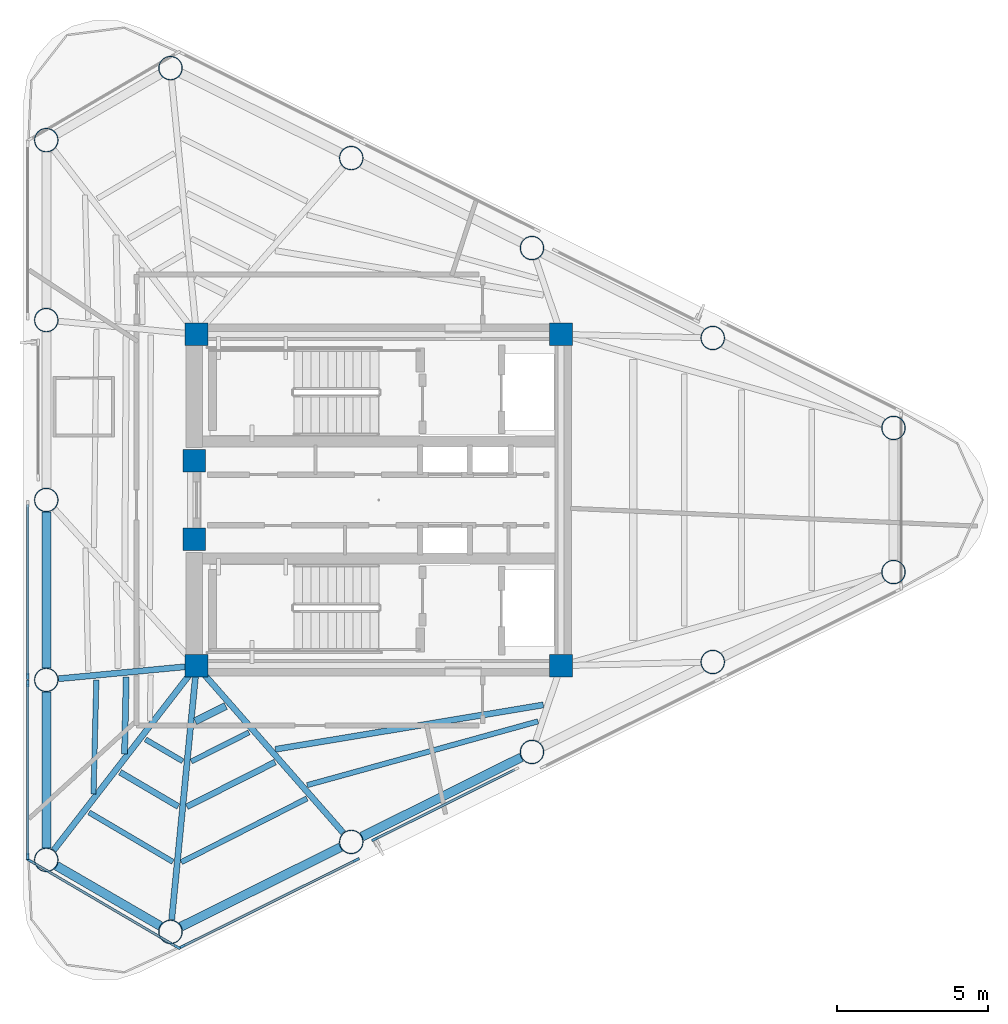
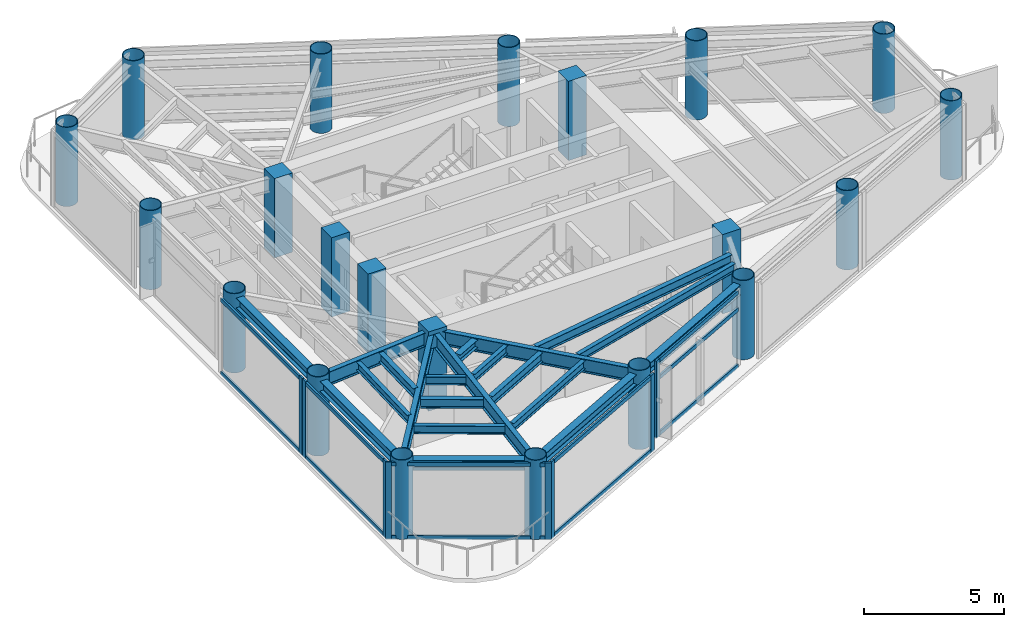
# One storey, part 1 of 10: 21 columns, 20 beams, 19 members, 5 elements without a shape of their own.
"""IFC4 building model written with IfcOpenShell, lengths in metres."""

from ifc_helpers import new_model, si_unit, direction, frame, origin, origin_2d, place, context, subcontext, project, spatial, rectangle, hollow_circle, i_section, extrude, source, transform, mapped, material, layer, layer_set, material_profile, profile_set, type_object, element, aggregate, save


model = new_model("IFC4")

# Units and contexts
model_context = context("Model", 3, precision=1e-05, world=origin(), true_north=direction((0.0, 1.0)))
body_context = subcontext(model_context, "Body", "Model", "MODEL_VIEW")
ifc_project = project(units=[si_unit("LENGTHUNIT", "METRE"), si_unit("AREAUNIT", "SQUARE_METRE"), si_unit("VOLUMEUNIT", "CUBIC_METRE"), si_unit("PLANEANGLEUNIT", "RADIAN"), si_unit("MASSUNIT", "GRAM", prefix="KILO")], contexts=[model_context])

# Site, building, storey
site_placement = place(None, origin())
site = spatial("IfcSite", under=ifc_project, at=site_placement, CompositionType="ELEMENT")
building_placement = place(site_placement, origin())
building = spatial("IfcBuilding", under=site, at=building_placement, Name="Yunling Apex Tower", CompositionType="ELEMENT")
storey_placement = place(building_placement, frame((0.0, 0.0, 293.300048828125)))
storey = spatial("IfcBuildingStorey", under=building, at=storey_placement, Name="L71", CompositionType="ELEMENT", Elevation=293.300048828125)

# Columns
ifc_material_1 = material(Name="Concrete C50", Category="concrete")
ifc_material_profile_1 = material_profile(ifc_material_1, rectangle(XDim=0.75, YDim=0.75, at=origin_2d()))
ifc_profile_set_1 = profile_set([ifc_material_profile_1], Name="Concrete C50")
column_type_1 = type_object("IfcColumnType", Name="PC-SRC-4", PredefinedType="COLUMN", material=ifc_profile_set_1)
shared_shape_1 = source(origin(), body_context, "Body", "SweptSolid", [
    extrude(rectangle(XDim=0.75, YDim=0.75, at=origin_2d()), origin(), (0.0, 0.0, 1.0), 3.449951171875),
])
for number, where, z_axis, x_axis, name in (
    (1, (-6.050048828125, -5.5, 0.0), (0.0, 0.0, 1.0), (1.0, 0.0, 0.0), "L71 Core Spine Column CC-SW"),
    (2, (6.050048828125, -5.5, 0.0), (0.0, 0.0, 1.0), (1.0, 0.0, 0.0), "L71 Core Spine Column CC-SE"),
    (3, (6.050048828125, 5.5, 0.0), (0.0, 0.0, 1.0), (1.0, 0.0, 0.0), "L71 Core Spine Column CC-NE"),
    (4, (-6.050048828125, 5.5, 0.0), (0.0, 0.0, 1.0), (1.0, 0.0, 0.0), "L71 Core Spine Column CC-NW"),
    (5, (-6.125, -1.300048828125, 0.0), (0.0, 0.0, 1.0), (1.0, 0.0, 0.0), "L71 Core West Portal Jamb Column S"),
    (6, (-6.125, 1.300048828125, 0.0), (0.0, 0.0, 1.0), (1.0, 0.0, 0.0), "L71 Core West Portal Jamb Column N"),
):
    element("IfcColumn", number, at=place(storey_placement, frame(where, z_axis=z_axis, x_axis=x_axis)), inside=storey, type_object=column_type_1, Name=name, PredefinedType="COLUMN", context=body_context, shape_type="MappedRepresentation", body=[
        mapped(shared_shape_1, transform((0.0, 0.0, 0.0), scale=1.0)),
    ])
ifc_material_2 = material(Name="Steel Q355B", Category="steel")
ifc_material_profile_2 = material_profile(ifc_material_2, hollow_circle(Radius=0.39990234375, WallThickness=0.028076171875, at=origin_2d()))
ifc_profile_set_2 = profile_set([ifc_material_profile_2], Name="Steel Q355B")
column_type_2 = type_object("IfcColumnType", Name="MC-CFST-7", PredefinedType="COLUMN", material=ifc_profile_set_2)
shared_shape_2 = source(origin(), body_context, "Body", "SweptSolid", [
    extrude(hollow_circle(Radius=0.39990234375, WallThickness=0.028076171875, at=origin_2d()), origin(), (0.0, 0.0, 1.0), 3.449951171875),
])
for number, where, z_axis, x_axis, name in (
    (7, (-6.9140625, -14.336669921875, 0.0), (0.0, 0.0, 1.0), (1.0, 0.0, 0.0), "L71 Perimeter CFST Mega-Column P01"),
    (8, (-0.913818359375, -11.350341796875, 0.0), (0.0, 0.0, 1.0), (1.0, 0.0, 0.0), "L71 Perimeter CFST Mega-Column P02"),
    (9, (5.086181640625, -8.364013671875, 0.0), (0.0, 0.0, 1.0), (1.0, 0.0, 0.0), "L71 Perimeter CFST Mega-Column P03"),
    (10, (11.08642578125, -5.377685546875, 0.0), (0.0, 0.0, 1.0), (1.0, 0.0, 0.0), "L71 Perimeter CFST Mega-Column P04"),
    (11, (17.086669921875, -2.3916015625, 0.0), (0.0, 0.0, 1.0), (1.0, 0.0, 0.0), "L71 Perimeter CFST Mega-Column P05"),
    (12, (17.086669921875, 2.3916015625, 0.0), (0.0, 0.0, 1.0), (1.0, 0.0, 0.0), "L71 Perimeter CFST Mega-Column P06"),
    (13, (11.08642578125, 5.377685546875, 0.0), (0.0, 0.0, 1.0), (1.0, 0.0, 0.0), "L71 Perimeter CFST Mega-Column P07"),
    (14, (5.086181640625, 8.364013671875, 0.0), (0.0, 0.0, 1.0), (1.0, 0.0, 0.0), "L71 Perimeter CFST Mega-Column P08"),
    (15, (-0.913818359375, 11.350341796875, 0.0), (0.0, 0.0, 1.0), (1.0, 0.0, 0.0), "L71 Perimeter CFST Mega-Column P09"),
    (16, (-6.9140625, 14.336669921875, 0.0), (0.0, 0.0, 1.0), (1.0, 0.0, 0.0), "L71 Perimeter CFST Mega-Column P10"),
    (17, (-11.037353515625, 11.9453125, 0.0), (0.0, 0.0, 1.0), (1.0, 0.0, 0.0), "L71 Perimeter CFST Mega-Column P11"),
    (18, (-11.037353515625, 5.97265625, 0.0), (0.0, 0.0, 1.0), (1.0, 0.0, 0.0), "L71 Perimeter CFST Mega-Column P12"),
    (19, (-11.037353515625, 0.0, 0.0), (0.0, 0.0, 1.0), (1.0, 0.0, 0.0), "L71 Perimeter CFST Mega-Column P13"),
    (20, (-11.037353515625, -5.97265625, 0.0), (0.0, 0.0, 1.0), (1.0, 0.0, 0.0), "L71 Perimeter CFST Mega-Column P14"),
    (21, (-11.037353515625, -11.9453125, 0.0), (0.0, 0.0, 1.0), (1.0, 0.0, 0.0), "L71 Perimeter CFST Mega-Column P15"),
):
    element("IfcColumn", number, at=place(storey_placement, frame(where, z_axis=z_axis, x_axis=x_axis)), inside=storey, type_object=column_type_2, Name=name, PredefinedType="COLUMN", context=body_context, shape_type="MappedRepresentation", body=[
        mapped(shared_shape_2, transform((0.0, 0.0, 0.0), scale=1.0)),
    ])

# Beams
ifc_material_profile_3 = material_profile(ifc_material_2, i_section(OverallWidth=0.300048828125, OverallDepth=0.43994140625, WebThickness=0.010986328125, FlangeThickness=0.01806640625, FilletRadius=0.02197265625, at=origin_2d()))
ifc_profile_set_3 = profile_set([ifc_material_profile_3], Name="Steel Q355B")
beam_type_1 = type_object("IfcBeamType", Name="BP-SPN-3", PredefinedType="SPANDREL", material=ifc_profile_set_3)
shared_shape_3 = source(origin(), body_context, "Body", "SweptSolid", [
    extrude(i_section(OverallWidth=0.300048828125, OverallDepth=0.43994140625, WebThickness=0.010986328125, FlangeThickness=0.01806640625, FilletRadius=0.02197265625, at=origin_2d()), origin(), (0.0, 0.0, 1.0), 5.914306640625),
])
for number, where, z_axis, x_axis, name in (
    (22, (-6.561279296875, -14.1611328125, 3.050048828125), (0.895243044542, 0.445578153861, 0.0), (-0.445578153861, 0.895243044542, 0.0), "L71 Perimeter Spandrel Beam 1"),
    (23, (-0.561279296875, -11.1748046875, 3.050048828125), (0.895267705164, 0.445528602999, 0.0), (-0.445528602999, 0.895267705164, 0.0), "L71 Perimeter Spandrel Beam 2"),
):
    element("IfcBeam", number, at=place(storey_placement, frame(where, z_axis=z_axis, x_axis=x_axis)), inside=storey, type_object=beam_type_1, Name=name, PredefinedType="SPANDREL", context=body_context, shape_type="MappedRepresentation", body=[
        mapped(shared_shape_3, transform((0.0, 0.0, 0.0), scale=1.0)),
    ])
shared_shape_4 = source(origin(), body_context, "Body", "SweptSolid", [
    extrude(i_section(OverallWidth=0.300048828125, OverallDepth=0.43994140625, WebThickness=0.010986328125, FlangeThickness=0.01806640625, FilletRadius=0.02197265625, at=origin_2d()), origin(), (0.0, 0.0, 1.0), 3.978515625),
])
beam_1_placement = place(storey_placement, frame((-10.696533203125, -12.142822265625, 3.050048828125), z_axis=(0.86503811344, -0.501706151343, 0.0), x_axis=(0.501706151343, 0.86503811344, 0.0)))
element("IfcBeam", 24, at=beam_1_placement, inside=storey, type_object=beam_type_1, Name="L71 Perimeter Spandrel Beam 15", PredefinedType="SPANDREL", context=body_context, shape_type="MappedRepresentation", body=[
    mapped(shared_shape_4, transform((0.0, 0.0, 0.0), scale=1.0)),
])
shared_shape_5 = source(origin(), body_context, "Body", "SweptSolid", [
    extrude(i_section(OverallWidth=0.300048828125, OverallDepth=0.43994140625, WebThickness=0.010986328125, FlangeThickness=0.01806640625, FilletRadius=0.02197265625, at=origin_2d()), origin(), (0.0, 0.0, 1.0), 5.1845703125),
])
for number, where, z_axis, x_axis, name in (
    (25, (-11.037353515625, -0.39404296875, 3.050048828125), (0.0, -1.0, 0.0), (1.0, 0.0, 0.0), "L71 Perimeter Spandrel Beam 13"),
    (26, (-11.037353515625, -6.36669921875, 3.050048828125), (0.0, -1.0, 0.0), (1.0, 0.0, 0.0), "L71 Perimeter Spandrel Beam 14"),
):
    element("IfcBeam", number, at=place(storey_placement, frame(where, z_axis=z_axis, x_axis=x_axis)), inside=storey, type_object=beam_type_1, Name=name, PredefinedType="SPANDREL", context=body_context, shape_type="MappedRepresentation", body=[
        mapped(shared_shape_5, transform((0.0, 0.0, 0.0), scale=1.0)),
    ])
ifc_material_profile_4 = material_profile(ifc_material_2, i_section(OverallWidth=0.199951171875, OverallDepth=0.60009765625, WebThickness=0.010986328125, FlangeThickness=0.01708984375, FilletRadius=0.02197265625, at=origin_2d()))
ifc_profile_set_4 = profile_set([ifc_material_profile_4], Name="Steel Q355B")
beam_type_2 = type_object("IfcBeamType", Name="BG-PRI-5", PredefinedType="USERDEFINED", material=ifc_profile_set_4)
shared_shape_6 = source(origin(), body_context, "Body", "SweptSolid", [
    extrude(i_section(OverallWidth=0.199951171875, OverallDepth=0.60009765625, WebThickness=0.010986328125, FlangeThickness=0.01708984375, FilletRadius=0.02197265625, at=origin_2d()), origin(), (0.0, 0.0, 1.0), 8.390869140625),
])
beam_2_placement = place(storey_placement, frame((-6.874267578125, -13.9306640625, 2.969970703125), z_axis=(0.097296792844, 0.995255411491, 0.0), x_axis=(-0.995255411491, 0.097296792844, 0.0)))
element("IfcBeam", 27, at=beam_2_placement, inside=storey, type_object=beam_type_2, Name="L71 Radial Primary Girder R01", ObjectType="GIRDER", PredefinedType="USERDEFINED", context=body_context, shape_type="MappedRepresentation", body=[
    mapped(shared_shape_6, transform((0.0, 0.0, 0.0), scale=1.0)),
])
shared_shape_7 = source(origin(), body_context, "Body", "SweptSolid", [
    extrude(i_section(OverallWidth=0.199951171875, OverallDepth=0.60009765625, WebThickness=0.010986328125, FlangeThickness=0.01708984375, FilletRadius=0.02197265625, at=origin_2d()), origin(), (0.0, 0.0, 1.0), 7.297119140625),
])
beam_3_placement = place(storey_placement, frame((-1.18310546875, -11.043701171875, 2.969970703125), z_axis=(-0.659747259747, 0.751487560281, 0.0), x_axis=(-0.751487560281, -0.659747259747, 0.0)))
element("IfcBeam", 28, at=beam_3_placement, inside=storey, type_object=beam_type_2, Name="L71 Radial Primary Girder R02", ObjectType="GIRDER", PredefinedType="USERDEFINED", context=body_context, shape_type="MappedRepresentation", body=[
    mapped(shared_shape_7, transform((0.0, 0.0, 0.0), scale=1.0)),
])
shared_shape_8 = source(origin(), body_context, "Body", "SweptSolid", [
    extrude(i_section(OverallWidth=0.199951171875, OverallDepth=0.60009765625, WebThickness=0.010986328125, FlangeThickness=0.01708984375, FilletRadius=0.02197265625, at=origin_2d()), origin(), (0.0, 0.0, 1.0), 7.661376953125),
])
beam_4_placement = place(storey_placement, frame((-10.78759765625, -11.62255859375, 2.969970703125), z_axis=(0.611959789037, 0.790888877531, 0.0), x_axis=(-0.790888877531, 0.611959789037, 0.0)))
element("IfcBeam", 29, at=beam_4_placement, inside=storey, type_object=beam_type_2, Name="L71 Radial Primary Girder R15", ObjectType="GIRDER", PredefinedType="USERDEFINED", context=body_context, shape_type="MappedRepresentation", body=[
    mapped(shared_shape_8, transform((0.0, 0.0, 0.0), scale=1.0)),
])
shared_shape_9 = source(origin(), body_context, "Body", "SweptSolid", [
    extrude(i_section(OverallWidth=0.199951171875, OverallDepth=0.60009765625, WebThickness=0.010986328125, FlangeThickness=0.01708984375, FilletRadius=0.02197265625, at=origin_2d()), origin(), (0.0, 0.0, 1.0), 4.521728515625),
])
beam_5_placement = place(storey_placement, frame((-10.631103515625, -5.93408203125, 2.969970703125), z_axis=(0.99554122067, 0.094327503661, 0.0), x_axis=(-0.094327503661, 0.99554122067, 0.0)))
element("IfcBeam", 30, at=beam_5_placement, inside=storey, type_object=beam_type_2, Name="L71 Radial Primary Girder R14", ObjectType="GIRDER", PredefinedType="USERDEFINED", context=body_context, shape_type="MappedRepresentation", body=[
    mapped(shared_shape_9, transform((0.0, 0.0, 0.0), scale=1.0)),
])
ifc_material_profile_5 = material_profile(ifc_material_2, i_section(OverallWidth=0.199951171875, OverallDepth=0.39990234375, WebThickness=0.008056640625, FlangeThickness=0.012939453125, FilletRadius=0.01611328125, at=origin_2d()))
ifc_profile_set_5 = profile_set([ifc_material_profile_5], Name="Steel Q355B")
beam_type_3 = type_object("IfcBeamType", Name="BS-SEC-4", PredefinedType="BEAM", material=ifc_profile_set_5)
shared_shape_10 = source(origin(), body_context, "Body", "SweptSolid", [
    extrude(i_section(OverallWidth=0.199951171875, OverallDepth=0.39990234375, WebThickness=0.008056640625, FlangeThickness=0.012939453125, FilletRadius=0.01611328125, at=origin_2d()), origin(), (0.0, 0.0, 1.0), 3.281494140625),
])
beam_6_placement = place(storey_placement, frame((-6.372314453125, -10.18408203125, 3.070068359375), z_axis=(0.892364297468, 0.451315810275, 0.0), x_axis=(-0.451315810275, 0.892364297468, 0.0)))
element("IfcBeam", 31, at=beam_6_placement, inside=storey, type_object=beam_type_3, Name="L71 Composite Floor Beam BS-1", PredefinedType="BEAM", context=body_context, shape_type="MappedRepresentation", body=[
    mapped(shared_shape_10, transform((0.0, 0.0, 0.0), scale=1.0)),
])
ifc_material_profile_6 = material_profile(ifc_material_2, i_section(OverallWidth=0.175048828125, OverallDepth=0.35009765625, WebThickness=0.007080078125, FlangeThickness=0.010986328125, FilletRadius=0.013916015625, at=origin_2d()))
ifc_profile_set_6 = profile_set([ifc_material_profile_6], Name="Steel Q355B")
beam_type_4 = type_object("IfcBeamType", Name="BJ-JST-1", PredefinedType="JOIST", material=ifc_profile_set_6)
shared_shape_11 = source(origin(), body_context, "Body", "SweptSolid", [
    extrude(i_section(OverallWidth=0.175048828125, OverallDepth=0.35009765625, WebThickness=0.007080078125, FlangeThickness=0.010986328125, FilletRadius=0.013916015625, at=origin_2d()), origin(), (0.0, 0.0, 1.0), 4.67138671875),
])
beam_7_placement = place(storey_placement, frame((-6.552001953125, -12.02099609375, 3.094970703125), z_axis=(0.892031280848, 0.45197366515, 0.0), x_axis=(-0.45197366515, 0.892031280848, 0.0)))
element("IfcBeam", 32, at=beam_7_placement, inside=storey, type_object=beam_type_4, Name="L71 Composite Floor Joist BJ1-1", PredefinedType="JOIST", context=body_context, shape_type="MappedRepresentation", body=[
    mapped(shared_shape_11, transform((0.0, 0.0, 0.0), scale=1.0)),
])
shared_shape_12 = source(origin(), body_context, "Body", "SweptSolid", [
    extrude(i_section(OverallWidth=0.175048828125, OverallDepth=0.35009765625, WebThickness=0.007080078125, FlangeThickness=0.010986328125, FilletRadius=0.013916015625, at=origin_2d()), origin(), (0.0, 0.0, 1.0), 2.143798828125),
])
beam_8_placement = place(storey_placement, frame((-6.22509765625, -8.680908203125, 3.094970703125), z_axis=(0.892941835578, 0.45017205408, 0.0), x_axis=(-0.45017205408, 0.892941835578, 0.0)))
element("IfcBeam", 33, at=beam_8_placement, inside=storey, type_object=beam_type_4, Name="L71 Composite Floor Joist BJ3-1", PredefinedType="JOIST", context=body_context, shape_type="MappedRepresentation", body=[
    mapped(shared_shape_12, transform((0.0, 0.0, 0.0), scale=1.0)),
])
ifc_material_profile_7 = material_profile(ifc_material_2, i_section(OverallWidth=0.25, OverallDepth=0.340087890625, WebThickness=0.009033203125, FlangeThickness=0.013916015625, FilletRadius=0.01806640625, at=origin_2d()))
ifc_profile_set_7 = profile_set([ifc_material_profile_7], Name="Steel Q355B")
beam_type_5 = type_object("IfcBeamType", Name="BJ-JST-2", PredefinedType="JOIST", material=ifc_profile_set_7)
shared_shape_13 = source(origin(), body_context, "Body", "SweptSolid", [
    extrude(i_section(OverallWidth=0.25, OverallDepth=0.340087890625, WebThickness=0.009033203125, FlangeThickness=0.013916015625, FilletRadius=0.01806640625, at=origin_2d()), origin(), (0.0, 0.0, 1.0), 1.1328125),
])
beam_9_placement = place(storey_placement, frame((-6.09423828125, -7.34521484375, 3.099853515625), z_axis=(0.894211562533, 0.447644592765, 0.0), x_axis=(-0.447644592765, 0.894211562533, 0.0)))
element("IfcBeam", 34, at=beam_9_placement, inside=storey, type_object=beam_type_5, Name="L71 Composite Floor Joist BJ2-1", PredefinedType="JOIST", context=body_context, shape_type="MappedRepresentation", body=[
    mapped(shared_shape_13, transform((0.0, 0.0, 0.0), scale=1.0)),
])
shared_shape_14 = source(origin(), body_context, "Body", "SweptSolid", [
    extrude(i_section(OverallWidth=0.199951171875, OverallDepth=0.39990234375, WebThickness=0.008056640625, FlangeThickness=0.012939453125, FilletRadius=0.01611328125, at=origin_2d()), origin(), (0.0, 0.0, 1.0), 9.01611328125),
])
beam_10_placement = place(storey_placement, frame((-3.432373046875, -8.27587890625, 3.070068359375), z_axis=(0.986561729833, 0.163388962996, 0.0), x_axis=(-0.163388962996, 0.986561729833, 0.0)))
element("IfcBeam", 35, at=beam_10_placement, inside=storey, type_object=beam_type_3, Name="L71 Composite Floor Beam BS-2", PredefinedType="BEAM", context=body_context, shape_type="MappedRepresentation", body=[
    mapped(shared_shape_14, transform((0.0, 0.0, 0.0), scale=1.0)),
])
shared_shape_15 = source(origin(), body_context, "Body", "SweptSolid", [
    extrude(i_section(OverallWidth=0.175048828125, OverallDepth=0.35009765625, WebThickness=0.007080078125, FlangeThickness=0.010986328125, FilletRadius=0.013916015625, at=origin_2d()), origin(), (0.0, 0.0, 1.0), 7.952392578125),
])
beam_11_placement = place(storey_placement, frame((-2.376708984375, -9.4658203125, 3.094970703125), z_axis=(0.963874198485, 0.266357897377, 0.0), x_axis=(-0.266357897377, 0.963874198485, 0.0)))
element("IfcBeam", 36, at=beam_11_placement, inside=storey, type_object=beam_type_4, Name="L71 Composite Floor Joist BJ1-2", PredefinedType="JOIST", context=body_context, shape_type="MappedRepresentation", body=[
    mapped(shared_shape_15, transform((0.0, 0.0, 0.0), scale=1.0)),
])
shared_shape_16 = source(origin(), body_context, "Body", "SweptSolid", [
    extrude(i_section(OverallWidth=0.199951171875, OverallDepth=0.39990234375, WebThickness=0.008056640625, FlangeThickness=0.012939453125, FilletRadius=0.01611328125, at=origin_2d()), origin(), (0.0, 0.0, 1.0), 2.552734375),
])
beam_12_placement = place(storey_placement, frame((-8.3837890625, -5.880859375, 3.070068359375), z_axis=(-0.021902331041, -0.999760115175, 0.0), x_axis=(0.999760115175, -0.021902331041, 0.0)))
element("IfcBeam", 37, at=beam_12_placement, inside=storey, type_object=beam_type_3, Name="L71 Composite Floor Beam BS-14", PredefinedType="BEAM", context=body_context, shape_type="MappedRepresentation", body=[
    mapped(shared_shape_16, transform((0.0, 0.0, 0.0), scale=1.0)),
])
shared_shape_17 = source(origin(), body_context, "Body", "SweptSolid", [
    extrude(i_section(OverallWidth=0.175048828125, OverallDepth=0.35009765625, WebThickness=0.007080078125, FlangeThickness=0.010986328125, FilletRadius=0.013916015625, at=origin_2d()), origin(), (0.0, 0.0, 1.0), 3.792724609375),
])
beam_13_placement = place(storey_placement, frame((-9.374755859375, -5.974609375, 3.094970703125), z_axis=(-0.02529776075, -0.999679960438, 0.0), x_axis=(0.999679960438, -0.02529776075, 0.0)))
element("IfcBeam", 38, at=beam_13_placement, inside=storey, type_object=beam_type_4, Name="L71 Composite Floor Joist BJ1-14", PredefinedType="JOIST", context=body_context, shape_type="MappedRepresentation", body=[
    mapped(shared_shape_17, transform((0.0, 0.0, 0.0), scale=1.0)),
])
shared_shape_18 = source(origin(), body_context, "Body", "SweptSolid", [
    extrude(i_section(OverallWidth=0.199951171875, OverallDepth=0.39990234375, WebThickness=0.008056640625, FlangeThickness=0.012939453125, FilletRadius=0.01611328125, at=origin_2d()), origin(), (0.0, 0.0, 1.0), 2.243408203125),
])
beam_14_placement = place(storey_placement, frame((-8.586669921875, -9.03759765625, 3.070068359375), z_axis=(0.861925822056, -0.507034394566, 0.0), x_axis=(0.507034394566, 0.861925822056, 0.0)))
element("IfcBeam", 39, at=beam_14_placement, inside=storey, type_object=beam_type_3, Name="L71 Composite Floor Beam BS-15", PredefinedType="BEAM", context=body_context, shape_type="MappedRepresentation", body=[
    mapped(shared_shape_18, transform((0.0, 0.0, 0.0), scale=1.0)),
])
shared_shape_19 = source(origin(), body_context, "Body", "SweptSolid", [
    extrude(i_section(OverallWidth=0.175048828125, OverallDepth=0.35009765625, WebThickness=0.007080078125, FlangeThickness=0.010986328125, FilletRadius=0.013916015625, at=origin_2d()), origin(), (0.0, 0.0, 1.0), 3.233642578125),
])
beam_15_placement = place(storey_placement, frame((-9.618408203125, -10.37060546875, 3.094970703125), z_axis=(0.861549665957, -0.507673293655, 0.0), x_axis=(0.507673293655, 0.861549665957, 0.0)))
element("IfcBeam", 40, at=beam_15_placement, inside=storey, type_object=beam_type_4, Name="L71 Composite Floor Joist BJ1-15", PredefinedType="JOIST", context=body_context, shape_type="MappedRepresentation", body=[
    mapped(shared_shape_19, transform((0.0, 0.0, 0.0), scale=1.0)),
])
shared_shape_20 = source(origin(), body_context, "Body", "SweptSolid", [
    extrude(i_section(OverallWidth=0.175048828125, OverallDepth=0.35009765625, WebThickness=0.007080078125, FlangeThickness=0.010986328125, FilletRadius=0.013916015625, at=origin_2d()), origin(), (0.0, 0.0, 1.0), 1.43359375),
])
beam_16_placement = place(storey_placement, frame((-7.74267578125, -7.94677734375, 3.094970703125), z_axis=(0.862559589494, -0.50595548675, 0.0), x_axis=(0.50595548675, 0.862559589494, 0.0)))
element("IfcBeam", 41, at=beam_16_placement, inside=storey, type_object=beam_type_4, Name="L71 Composite Floor Joist BJ3-15", PredefinedType="JOIST", context=body_context, shape_type="MappedRepresentation", body=[
    mapped(shared_shape_20, transform((0.0, 0.0, 0.0), scale=1.0)),
])

# Curtain wall, members
ifc_material_3 = material(Name="Bronze anodised aluminium", Category="aluminium")
ifc_layer = layer(ifc_material_3, 0.219970703125)
ifc_layer_set = layer_set([ifc_layer], Name="Bronze anodised aluminium")
curtain_wall_type = type_object("IfcCurtainWallType", Name="CW-SYS-4", PredefinedType="NOTDEFINED", material=ifc_layer_set)
curtain_wall_1_placement = place(storey_placement, origin())
curtain_wall_1 = element("IfcCurtainWall", 42, at=curtain_wall_1_placement, inside=storey, type_object=curtain_wall_type, Name="CW-L71-F1-B1", PredefinedType="NOTDEFINED")
ifc_material_profile_8 = material_profile(ifc_material_3, rectangle(XDim=0.080078125, YDim=0.169921875, at=origin_2d()))
ifc_profile_set_8 = profile_set([ifc_material_profile_8], Name="Bronze anodised aluminium")
member_type_1 = type_object("IfcMemberType", Name="CW-TRN-4", PredefinedType="USERDEFINED", material=ifc_profile_set_8)
shared_shape_21 = source(origin(), body_context, "Body", "SweptSolid", [
    extrude(rectangle(XDim=0.080078125, YDim=0.169921875, at=origin_2d()), origin(), (0.0, 0.0, 1.0), 6.39013671875),
])
member_1_placement = place(storey_placement, frame((-6.50244140625, -14.813232421875, 0.0400390625), z_axis=(0.89525092504, 0.445562320238, 0.0), x_axis=(-0.445562320238, 0.89525092504, 0.0)))
member_1 = element("IfcMember", 43, at=member_1_placement, type_object=member_type_1, Name="CW-SYS-4 transom 1.1", ObjectType="TRANSOM", PredefinedType="USERDEFINED", context=body_context, shape_type="MappedRepresentation", body=[
    mapped(shared_shape_21, transform((0.0, 0.0, 0.0), scale=1.0)),
])
member_2_placement = place(storey_placement, frame((-6.50244140625, -14.813232421875, 3.22998046875), z_axis=(0.89525092504, 0.445562320238, 0.0), x_axis=(-0.445562320238, 0.89525092504, 0.0)))
member_2 = element("IfcMember", 44, at=member_2_placement, type_object=member_type_1, Name="CW-SYS-4 transom 1.2", ObjectType="TRANSOM", PredefinedType="USERDEFINED", context=body_context, shape_type="MappedRepresentation", body=[
    mapped(shared_shape_21, transform((0.0, 0.0, 0.0), scale=1.0)),
])

curtain_wall_2_placement = place(storey_placement, origin())
curtain_wall_2 = element("IfcCurtainWall", 45, at=curtain_wall_2_placement, inside=storey, type_object=curtain_wall_type, Name="CW-L71-F1-B2", PredefinedType="NOTDEFINED")
shared_shape_22 = source(origin(), body_context, "Body", "SweptSolid", [
    extrude(rectangle(XDim=0.080078125, YDim=0.169921875, at=origin_2d()), origin(), (0.0, 0.0, 1.0), 5.150390625),
])
member_3_placement = place(storey_placement, frame((-0.098876953125, -11.246337890625, 0.0400390625), z_axis=(0.895259933779, 0.445544218871, 0.0), x_axis=(-0.445544218871, 0.895259933779, 0.0)))
member_3 = element("IfcMember", 46, at=member_3_placement, type_object=member_type_1, Name="CW-SYS-4 transom 1.1", ObjectType="TRANSOM", PredefinedType="USERDEFINED", context=body_context, shape_type="MappedRepresentation", body=[
    mapped(shared_shape_22, transform((0.0, 0.0, 0.0), scale=1.0)),
])
member_4_placement = place(storey_placement, frame((-0.098876953125, -11.246337890625, 2.485107421875), z_axis=(0.895259933779, 0.445544218871, 0.0), x_axis=(-0.445544218871, 0.895259933779, 0.0)))
member_4 = element("IfcMember", 47, at=member_4_placement, type_object=member_type_1, Name="CW-SYS-4 transom 1.2", ObjectType="TRANSOM", PredefinedType="USERDEFINED", context=body_context, shape_type="MappedRepresentation", body=[
    mapped(shared_shape_22, transform((0.0, 0.0, 0.0), scale=1.0)),
])
member_5_placement = place(storey_placement, frame((-0.098876953125, -11.246337890625, 3.22998046875), z_axis=(0.895259933779, 0.445544218871, 0.0), x_axis=(-0.445544218871, 0.895259933779, 0.0)))
member_5 = element("IfcMember", 48, at=member_5_placement, type_object=member_type_1, Name="CW-SYS-4 transom 1.3", ObjectType="TRANSOM", PredefinedType="USERDEFINED", context=body_context, shape_type="MappedRepresentation", body=[
    mapped(shared_shape_22, transform((0.0, 0.0, 0.0), scale=1.0)),
])

curtain_wall_3_placement = place(storey_placement, origin())
curtain_wall_3 = element("IfcCurtainWall", 49, at=curtain_wall_3_placement, inside=storey, type_object=curtain_wall_type, Name="CW-L71-CRN3", PredefinedType="NOTDEFINED")
shared_shape_23 = source(origin(), body_context, "Body", "SweptSolid", [
    extrude(rectangle(XDim=0.080078125, YDim=0.169921875, at=origin_2d()), origin(), (0.0, 0.0, 1.0), 5.61767578125),
])
member_6_placement = place(storey_placement, frame((-11.561767578125, -11.983642578125, 0.0400390625), z_axis=(0.862486715055, -0.506079703558, 0.0), x_axis=(0.506079703558, 0.862486715055, 0.0)))
member_6 = element("IfcMember", 50, at=member_6_placement, type_object=member_type_1, Name="CW-SYS-4 transom 1.1", ObjectType="TRANSOM", PredefinedType="USERDEFINED", context=body_context, shape_type="MappedRepresentation", body=[
    mapped(shared_shape_23, transform((0.0, 0.0, 0.0), scale=1.0)),
])
member_7_placement = place(storey_placement, frame((-11.561767578125, -11.983642578125, 3.22998046875), z_axis=(0.862486715055, -0.506079703558, 0.0), x_axis=(0.506079703558, 0.862486715055, 0.0)))
member_7 = element("IfcMember", 51, at=member_7_placement, type_object=member_type_1, Name="CW-SYS-4 transom 1.2", ObjectType="TRANSOM", PredefinedType="USERDEFINED", context=body_context, shape_type="MappedRepresentation", body=[
    mapped(shared_shape_23, transform((0.0, 0.0, 0.0), scale=1.0)),
])

curtain_wall_4_placement = place(storey_placement, origin())
curtain_wall_4 = element("IfcCurtainWall", 52, at=curtain_wall_4_placement, inside=storey, type_object=curtain_wall_type, Name="CW-L71-F3-B3", PredefinedType="NOTDEFINED")
shared_shape_24 = source(origin(), body_context, "Body", "SweptSolid", [
    extrude(rectangle(XDim=0.080078125, YDim=0.169921875, at=origin_2d()), origin(), (0.0, 0.0, 1.0), 5.66064453125),
])
member_8_placement = place(storey_placement, frame((-11.647216796875, -0.156005859375, 0.0400390625), z_axis=(0.0, -1.0, 0.0), x_axis=(1.0, 0.0, 0.0)))
member_8 = element("IfcMember", 53, at=member_8_placement, type_object=member_type_1, Name="CW-SYS-4 transom 1.1", ObjectType="TRANSOM", PredefinedType="USERDEFINED", context=body_context, shape_type="MappedRepresentation", body=[
    mapped(shared_shape_24, transform((0.0, 0.0, 0.0), scale=1.0)),
])
member_9_placement = place(storey_placement, frame((-11.647216796875, -0.156005859375, 3.22998046875), z_axis=(0.0, -1.0, 0.0), x_axis=(1.0, 0.0, 0.0)))
member_9 = element("IfcMember", 54, at=member_9_placement, type_object=member_type_1, Name="CW-SYS-4 transom 1.2", ObjectType="TRANSOM", PredefinedType="USERDEFINED", context=body_context, shape_type="MappedRepresentation", body=[
    mapped(shared_shape_24, transform((0.0, 0.0, 0.0), scale=1.0)),
])

curtain_wall_5_placement = place(storey_placement, origin())
curtain_wall_5 = element("IfcCurtainWall", 55, at=curtain_wall_5_placement, inside=storey, type_object=curtain_wall_type, Name="CW-L71-F3-B4", PredefinedType="NOTDEFINED")
member_10_placement = place(storey_placement, frame((-11.647216796875, -6.128662109375, 0.0400390625), z_axis=(0.0, -1.0, 0.0), x_axis=(1.0, 0.0, 0.0)))
member_10 = element("IfcMember", 56, at=member_10_placement, type_object=member_type_1, Name="CW-SYS-4 transom 1.1", ObjectType="TRANSOM", PredefinedType="USERDEFINED", context=body_context, shape_type="MappedRepresentation", body=[
    mapped(shared_shape_24, transform((0.0, 0.0, 0.0), scale=1.0)),
])
member_11_placement = place(storey_placement, frame((-11.647216796875, -6.128662109375, 3.22998046875), z_axis=(0.0, -1.0, 0.0), x_axis=(1.0, 0.0, 0.0)))
member_11 = element("IfcMember", 57, at=member_11_placement, type_object=member_type_1, Name="CW-SYS-4 transom 1.2", ObjectType="TRANSOM", PredefinedType="USERDEFINED", context=body_context, shape_type="MappedRepresentation", body=[
    mapped(shared_shape_24, transform((0.0, 0.0, 0.0), scale=1.0)),
])

# Member
ifc_material_profile_9 = material_profile(ifc_material_3, rectangle(XDim=0.080078125, YDim=0.219970703125, at=origin_2d()))
ifc_profile_set_9 = profile_set([ifc_material_profile_9], Name="Bronze anodised aluminium")
member_type_2 = type_object("IfcMemberType", Name="CW-MUL-4", PredefinedType="MULLION", material=ifc_profile_set_9)
shared_shape_25 = source(origin(), body_context, "Body", "SweptSolid", [
    extrude(rectangle(XDim=0.080078125, YDim=0.219970703125, at=origin_2d()), origin(), (0.0, 0.0, 1.0), 3.3701171875),
])
member_12_placement = place(storey_placement, frame((-6.534912109375, -14.829345703125, -0.050048828125), z_axis=(0.0, 0.0, 1.0), x_axis=(-0.445568135078, 0.895248030996, 0.0)))
member_12 = element("IfcMember", 58, at=member_12_placement, type_object=member_type_2, Name="CW-SYS-4 mullion 1", PredefinedType="MULLION", context=body_context, shape_type="MappedRepresentation", body=[
    mapped(shared_shape_25, transform((0.0, 0.0, 0.0), scale=1.0)),
])

member_13_placement = place(storey_placement, frame((-0.74951171875, -11.949951171875, -0.050048828125), z_axis=(0.0, 0.0, 1.0), x_axis=(-0.445568135078, 0.895248030996, 0.0)))
member_13 = element("IfcMember", 59, at=member_13_placement, type_object=member_type_2, Name="CW-SYS-4 mullion 2", PredefinedType="MULLION", context=body_context, shape_type="MappedRepresentation", body=[
    mapped(shared_shape_25, transform((0.0, 0.0, 0.0), scale=1.0)),
])

aggregate(curtain_wall_1, [member_12, member_13, member_1, member_2])

member_14_placement = place(storey_placement, frame((-0.131103515625, -11.262451171875, -0.050048828125), z_axis=(0.0, 0.0, 1.0), x_axis=(-0.445560721723, 0.895251720611, 0.0)))
member_14 = element("IfcMember", 60, at=member_14_placement, type_object=member_type_2, Name="CW-SYS-4 mullion 1", PredefinedType="MULLION", context=body_context, shape_type="MappedRepresentation", body=[
    mapped(shared_shape_25, transform((0.0, 0.0, 0.0), scale=1.0)),
])

aggregate(curtain_wall_2, [member_14, member_3, member_4, member_5])

member_15_placement = place(storey_placement, frame((-11.647216796875, -5.8525390625, -0.050048828125), z_axis=(0.0, 0.0, 1.0), x_axis=(1.0, 0.0, 0.0)))
member_15 = element("IfcMember", 61, at=member_15_placement, type_object=member_type_2, Name="CW-SYS-4 mullion 2", PredefinedType="MULLION", context=body_context, shape_type="MappedRepresentation", body=[
    mapped(shared_shape_25, transform((0.0, 0.0, 0.0), scale=1.0)),
])

aggregate(curtain_wall_4, [member_15, member_8, member_9])

member_16_placement = place(storey_placement, frame((-11.647216796875, -6.092529296875, -0.050048828125), z_axis=(0.0, 0.0, 1.0), x_axis=(1.0, 0.0, 0.0)))
member_16 = element("IfcMember", 62, at=member_16_placement, type_object=member_type_2, Name="CW-SYS-4 mullion 1", PredefinedType="MULLION", context=body_context, shape_type="MappedRepresentation", body=[
    mapped(shared_shape_25, transform((0.0, 0.0, 0.0), scale=1.0)),
])

member_17_placement = place(storey_placement, frame((-11.647216796875, -11.8251953125, -0.050048828125), z_axis=(0.0, 0.0, 1.0), x_axis=(1.0, 0.0, 0.0)))
member_17 = element("IfcMember", 63, at=member_17_placement, type_object=member_type_2, Name="CW-SYS-4 mullion 2", PredefinedType="MULLION", context=body_context, shape_type="MappedRepresentation", body=[
    mapped(shared_shape_25, transform((0.0, 0.0, 0.0), scale=1.0)),
])

aggregate(curtain_wall_5, [member_16, member_17, member_10, member_11])

member_18_placement = place(storey_placement, frame((-11.5927734375, -11.96533203125, -0.050048828125), z_axis=(0.0, 0.0, 1.0), x_axis=(0.506069970256, 0.862492426173, 0.0)))
member_18 = element("IfcMember", 64, at=member_18_placement, type_object=member_type_2, Name="CW-SYS-4 mullion 1", PredefinedType="MULLION", context=body_context, shape_type="MappedRepresentation", body=[
    mapped(shared_shape_25, transform((0.0, 0.0, 0.0), scale=1.0)),
])

member_19_placement = place(storey_placement, frame((-6.685546875, -14.8447265625, -0.050048828125), z_axis=(0.0, 0.0, 1.0), x_axis=(0.506069970256, 0.862492426173, 0.0)))
member_19 = element("IfcMember", 65, at=member_19_placement, type_object=member_type_2, Name="CW-SYS-4 mullion 2", PredefinedType="MULLION", context=body_context, shape_type="MappedRepresentation", body=[
    mapped(shared_shape_25, transform((0.0, 0.0, 0.0), scale=1.0)),
])

aggregate(curtain_wall_3, [member_18, member_19, member_6, member_7])

save(model, "model.ifc")
